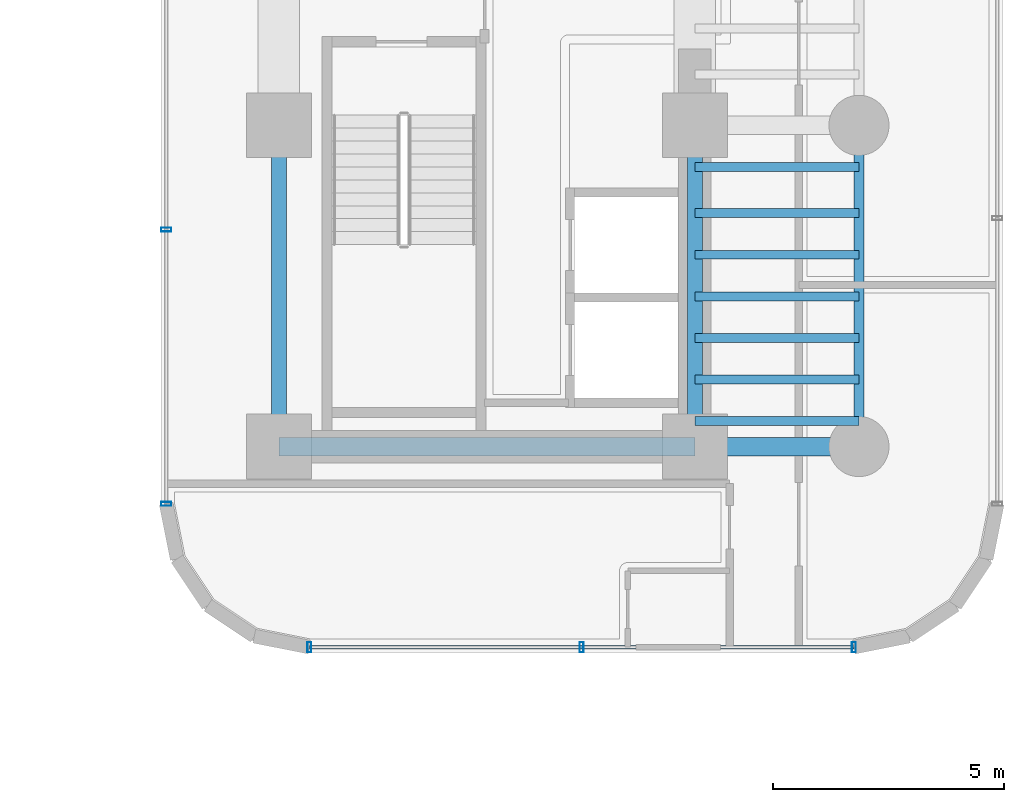
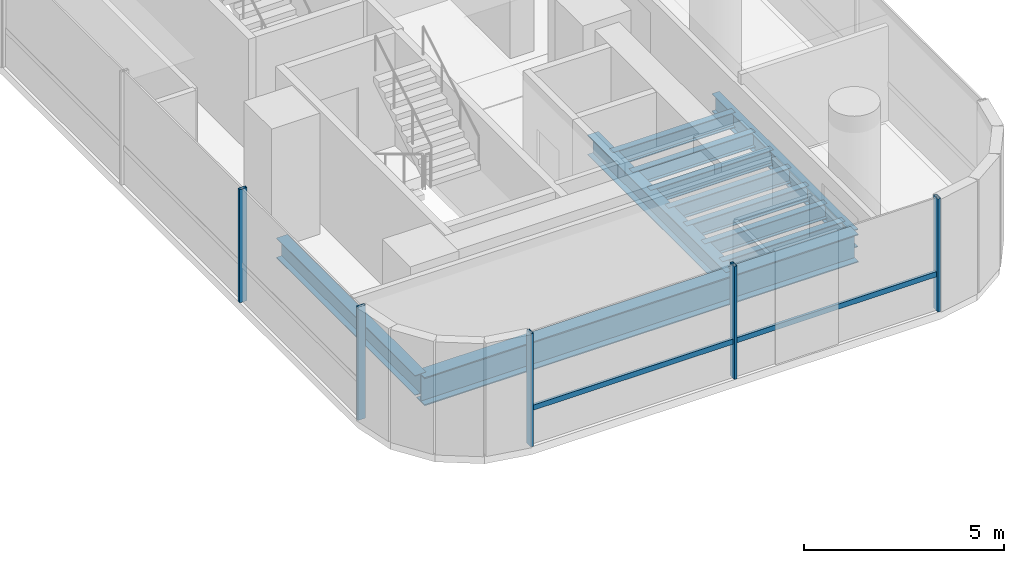
# One storey, part 14 of 42: 12 beams, 6 members, 2 elements without a shape of their own.
"""IFC4 building model written with IfcOpenShell, lengths in metres."""

from ifc_helpers import new_model, si_unit, direction, frame, origin, origin_2d, place, context, subcontext, project, spatial, hollow_rectangle, i_section, extrude, source, transform, mapped, material, material_profile, profile_set, type_object, element, aggregate, save


model = new_model("IFC4")

# Units and contexts
model_context = context("Model", 3, precision=1e-05, world=origin(), true_north=direction((0.0, 1.0)))
body_context = subcontext(model_context, "Body", "Model", "MODEL_VIEW")
ifc_project = project(units=[si_unit("LENGTHUNIT", "METRE"), si_unit("AREAUNIT", "SQUARE_METRE"), si_unit("VOLUMEUNIT", "CUBIC_METRE"), si_unit("PLANEANGLEUNIT", "RADIAN"), si_unit("MASSUNIT", "GRAM", prefix="KILO")], contexts=[model_context])

# Site, building, storey
site_placement = place(None, origin())
site = spatial("IfcSite", under=ifc_project, at=site_placement, CompositionType="ELEMENT")
building_placement = place(site_placement, origin())
building = spatial("IfcBuilding", under=site, at=building_placement, Name="Valdorenza Pilgrim Sanctuary Tower", CompositionType="ELEMENT")
storey_placement = place(building_placement, frame((0.0, 0.0, 55.60009765625)))
storey = spatial("IfcBuildingStorey", under=building, at=storey_placement, Name="L13", CompositionType="ELEMENT", Elevation=55.60009765625)

# Beams
ifc_material_1 = material(Name="Steel ASTM A992 Grade 50", Category="steel")
ifc_material_profile_1 = material_profile(ifc_material_1, i_section(OverallWidth=0.323974609375, OverallDepth=0.611083984375, WebThickness=0.0126953125, FlangeThickness=0.01904296875, at=origin_2d()), Name="W24X104")
ifc_profile_set_1 = profile_set([ifc_material_profile_1], Name="Steel ASTM A992 Grade 50")
beam_type_1 = type_object("IfcBeamType", Name="STR-BM-GRD-W24B", PredefinedType="BEAM", material=ifc_profile_set_1)
shared_shape_1 = source(origin(), body_context, "Body", "SweptSolid", [
    extrude(i_section(OverallWidth=0.323974609375, OverallDepth=0.611083984375, WebThickness=0.0126953125, FlangeThickness=0.01904296875, at=origin_2d()), origin(), (0.0, 0.0, 1.0), 6.949951171875),
])
for number, where, z_axis, x_axis, name in (
    (1, (15.85009765625, -9.550048828125, -0.545654296875), (0.0, 1.0, 0.0), (-1.0, 0.0, 0.0), "L13 Core Tie Girder CB-W-S1M0"),
    (2, (24.85009765625, -9.550048828125, -0.545654296875), (0.0, 1.0, 0.0), (-1.0, 0.0, 0.0), "L13 Core Tie Girder CB-E-S1M0"),
):
    element("IfcBeam", number, at=place(storey_placement, frame(where, z_axis=z_axis, x_axis=x_axis)), inside=storey, type_object=beam_type_1, Name=name, PredefinedType="BEAM", context=body_context, shape_type="MappedRepresentation", body=[
        mapped(shared_shape_1, transform((0.0, 0.0, 0.0), x_axis=(1.0, 0.0, 0.0), y_axis=(0.0, 1.0, 0.0), z_axis=(0.0, 0.0, 1.0), scale=1.0)),
    ])
ifc_material_profile_2 = material_profile(ifc_material_1, i_section(OverallWidth=0.214111328125, OverallDepth=0.549072265625, WebThickness=0.0146484375, FlangeThickness=0.023681640625, at=origin_2d()), Name="W21X93")
ifc_profile_set_2 = profile_set([ifc_material_profile_2], Name="Steel ASTM A992 Grade 50")
beam_type_2 = type_object("IfcBeamType", Name="STR-BM-SPN-W21A", PredefinedType="SPANDREL", material=ifc_profile_set_2)
shared_shape_2 = source(origin(), body_context, "Body", "SweptSolid", [
    extrude(i_section(OverallWidth=0.214111328125, OverallDepth=0.549072265625, WebThickness=0.0146484375, FlangeThickness=0.023681640625, at=origin_2d()), origin(), (0.0, 0.0, 1.0), 6.949951171875),
])
beam_1_placement = place(storey_placement, frame((28.39990234375, -9.550048828125, -0.5146484375), z_axis=(0.0, 1.0, 0.0), x_axis=(-1.0, 0.0, 0.0)))
element("IfcBeam", 3, at=beam_1_placement, inside=storey, type_object=beam_type_2, Name="L13 Spandrel Beam WB-E-S1M0", PredefinedType="SPANDREL", context=body_context, shape_type="MappedRepresentation", body=[
    mapped(shared_shape_2, transform((0.0, 0.0, 0.0), x_axis=(1.0, 0.0, 0.0), y_axis=(0.0, 1.0, 0.0), z_axis=(0.0, 0.0, 1.0), scale=1.0)),
])
ifc_material_profile_3 = material_profile(ifc_material_1, i_section(OverallWidth=0.193115234375, OverallDepth=0.466064453125, WebThickness=0.011474609375, FlangeThickness=0.01904296875, at=origin_2d()), Name="W18X65")
ifc_profile_set_3 = profile_set([ifc_material_profile_3], Name="Steel ASTM A992 Grade 50")
beam_type_3 = type_object("IfcBeamType", Name="STR-BM-JST-W18A", PredefinedType="JOIST", material=ifc_profile_set_3)
shared_shape_3 = source(origin(), body_context, "Body", "SweptSolid", [
    extrude(i_section(OverallWidth=0.193115234375, OverallDepth=0.466064453125, WebThickness=0.011474609375, FlangeThickness=0.01904296875, at=origin_2d()), origin(), (0.0, 0.0, 1.0), 3.5498046875),
])
for number, where, z_axis, x_axis, name in (
    (4, (24.85009765625, -9.0, -0.47314453125), (1.0, 0.0, 0.0), (0.0, 1.0, 0.0), "L13 Composite Floor Joist JST-WB-1"),
    (5, (24.85009765625, -8.10009765625, -0.47314453125), (1.0, 0.0, 0.0), (0.0, 1.0, 0.0), "L13 Composite Floor Joist JST-WB-2"),
    (6, (24.85009765625, -7.199951171875, -0.47314453125), (1.0, 0.0, 0.0), (0.0, 1.0, 0.0), "L13 Composite Floor Joist JST-WB-3"),
    (7, (24.85009765625, -6.300048828125, -0.47314453125), (1.0, 0.0, 0.0), (0.0, 1.0, 0.0), "L13 Composite Floor Joist JST-WB-4"),
    (8, (24.85009765625, -5.39990234375, -0.47314453125), (1.0, 0.0, 0.0), (0.0, 1.0, 0.0), "L13 Composite Floor Joist JST-WB-5"),
    (9, (24.85009765625, -4.5, -0.47314453125), (1.0, 0.0, 0.0), (0.0, 1.0, 0.0), "L13 Composite Floor Joist JST-WB-6"),
    (10, (24.85009765625, -3.5, -0.47314453125), (1.0, 0.0, 0.0), (0.0, 1.0, 0.0), "L13 Composite Floor Joist JST-WB-7"),
):
    element("IfcBeam", number, at=place(storey_placement, frame(where, z_axis=z_axis, x_axis=x_axis)), inside=storey, type_object=beam_type_3, Name=name, PredefinedType="JOIST", context=body_context, shape_type="MappedRepresentation", body=[
        mapped(shared_shape_3, transform((0.0, 0.0, 0.0), x_axis=(1.0, 0.0, 0.0), y_axis=(0.0, 1.0, 0.0), z_axis=(0.0, 0.0, 1.0), scale=1.0)),
    ])
ifc_material_profile_4 = material_profile(ifc_material_1, i_section(OverallWidth=0.39990234375, OverallDepth=0.862060546875, WebThickness=0.019775390625, FlangeThickness=0.032470703125, at=origin_2d()), Name="W33X221")
ifc_profile_set_4 = profile_set([ifc_material_profile_4], Name="Steel ASTM A992 Grade 50")
beam_type_4 = type_object("IfcBeamType", Name="STR-BM-GRD-W33", PredefinedType="BEAM", material=ifc_profile_set_4)
shared_shape_4 = source(origin(), body_context, "Body", "SweptSolid", [
    extrude(i_section(OverallWidth=0.39990234375, OverallDepth=0.862060546875, WebThickness=0.019775390625, FlangeThickness=0.032470703125, at=origin_2d()), origin(), (0.0, 0.0, 1.0), 9.0),
])
beam_2_placement = place(storey_placement, frame((15.85009765625, -9.550048828125, -0.671142578125), z_axis=(1.0, 0.0, 0.0), x_axis=(0.0, 1.0, 0.0)))
element("IfcBeam", 11, at=beam_2_placement, inside=storey, type_object=beam_type_4, Name="L13 Floor Girder CB-XC-S1", PredefinedType="BEAM", context=body_context, shape_type="MappedRepresentation", body=[
    mapped(shared_shape_4, transform((0.0, 0.0, 0.0), x_axis=(1.0, 0.0, 0.0), y_axis=(0.0, 1.0, 0.0), z_axis=(0.0, 0.0, 1.0), scale=1.0)),
])
shared_shape_5 = source(origin(), body_context, "Body", "SweptSolid", [
    extrude(i_section(OverallWidth=0.39990234375, OverallDepth=0.862060546875, WebThickness=0.019775390625, FlangeThickness=0.032470703125, at=origin_2d()), origin(), (0.0, 0.0, 1.0), 3.5498046875),
])
beam_3_placement = place(storey_placement, frame((24.85009765625, -9.550048828125, -0.671142578125), z_axis=(1.0, 0.0, 0.0), x_axis=(0.0, 1.0, 0.0)))
element("IfcBeam", 12, at=beam_3_placement, inside=storey, type_object=beam_type_4, Name="L13 Floor Girder WB-XE-S1", PredefinedType="BEAM", context=body_context, shape_type="MappedRepresentation", body=[
    mapped(shared_shape_5, transform((0.0, 0.0, 0.0), x_axis=(1.0, 0.0, 0.0), y_axis=(0.0, 1.0, 0.0), z_axis=(0.0, 0.0, 1.0), scale=1.0)),
])

# Curtain wall, members
ifc_material_2 = material(Name="Curtain-wall IGU glazing", Category="glass")
curtain_wall_type = type_object("IfcCurtainWallType", Name="CW-SYS-03", PredefinedType="NOTDEFINED", material=ifc_material_2)
curtain_wall_1_placement = place(storey_placement, origin())
curtain_wall_1 = element("IfcCurtainWall", 13, at=curtain_wall_1_placement, inside=storey, type_object=curtain_wall_type, Name="L13 Curtain Wall CW-L13-1-26", PredefinedType="NOTDEFINED")
ifc_material_3 = material(Name="Anodised aluminium AW-6060", Category="aluminium")
ifc_material_profile_5 = material_profile(ifc_material_3, hollow_rectangle(XDim=0.0849609375, YDim=0.219970703125, WallThickness=0.0048828125, at=origin_2d()), Name="ALU-M 220x85x5")
ifc_profile_set_5 = profile_set([ifc_material_profile_5], Name="Anodised aluminium AW-6060")
member_type_1 = type_object("IfcMemberType", Name="CW-MUL-03", PredefinedType="MULLION", material=ifc_profile_set_5)
shared_shape_6 = source(origin(), body_context, "Body", "SweptSolid", [
    extrude(hollow_rectangle(XDim=0.0849609375, YDim=0.219970703125, WallThickness=0.0048828125, at=origin_2d()), origin(), (0.0, 0.0, 1.0), 3.4599609375),
])
member_1_placement = place(storey_placement, frame((28.289306640625, -13.889892578125, 0.0), z_axis=(0.0, 0.0, 1.0), x_axis=(-1.0, 0.0, 0.0)))
member_1 = element("IfcMember", 14, at=member_1_placement, type_object=member_type_1, Name="CW-L13-1-26 Mullion 1", PredefinedType="MULLION", context=body_context, shape_type="MappedRepresentation", body=[
    mapped(shared_shape_6, transform((0.0, 0.0, 0.0), x_axis=(1.0, 0.0, 0.0), y_axis=(0.0, 1.0, 0.0), z_axis=(0.0, 0.0, 1.0), scale=1.0)),
])
member_2_placement = place(storey_placement, frame((22.39990234375, -13.889892578125, 0.0), z_axis=(0.0, 0.0, 1.0), x_axis=(-1.0, 0.0, 0.0)))
member_2 = element("IfcMember", 15, at=member_2_placement, type_object=member_type_1, Name="CW-L13-1-26 Mullion 2", PredefinedType="MULLION", context=body_context, shape_type="MappedRepresentation", body=[
    mapped(shared_shape_6, transform((0.0, 0.0, 0.0), x_axis=(1.0, 0.0, 0.0), y_axis=(0.0, 1.0, 0.0), z_axis=(0.0, 0.0, 1.0), scale=1.0)),
])
member_3_placement = place(storey_placement, frame((16.5107421875, -13.889892578125, 0.0), z_axis=(0.0, 0.0, 1.0), x_axis=(-1.0, 0.0, 0.0)))
member_3 = element("IfcMember", 16, at=member_3_placement, type_object=member_type_1, Name="CW-L13-1-26 Mullion 3", PredefinedType="MULLION", context=body_context, shape_type="MappedRepresentation", body=[
    mapped(shared_shape_6, transform((0.0, 0.0, 0.0), x_axis=(1.0, 0.0, 0.0), y_axis=(0.0, 1.0, 0.0), z_axis=(0.0, 0.0, 1.0), scale=1.0)),
])

curtain_wall_2_placement = place(storey_placement, origin())
curtain_wall_2 = element("IfcCurtainWall", 17, at=curtain_wall_2_placement, inside=storey, type_object=curtain_wall_type, Name="L13 Curtain Wall CW-L13-1-31", PredefinedType="NOTDEFINED")
member_4_placement = place(storey_placement, frame((13.409912109375, -10.789306640625, 0.0), z_axis=(0.0, 0.0, 1.0), x_axis=(0.0, 1.0, 0.0)))
member_4 = element("IfcMember", 18, at=member_4_placement, type_object=member_type_1, Name="CW-L13-1-31 Mullion 1", PredefinedType="MULLION", context=body_context, shape_type="MappedRepresentation", body=[
    mapped(shared_shape_6, transform((0.0, 0.0, 0.0), x_axis=(1.0, 0.0, 0.0), y_axis=(0.0, 1.0, 0.0), z_axis=(0.0, 0.0, 1.0), scale=1.0)),
])
member_5_placement = place(storey_placement, frame((13.409912109375, -4.85595703125, 0.0), z_axis=(0.0, 0.0, 1.0), x_axis=(0.0, 1.0, 0.0)))
member_5 = element("IfcMember", 19, at=member_5_placement, type_object=member_type_1, Name="CW-L13-1-31 Mullion 2", PredefinedType="MULLION", context=body_context, shape_type="MappedRepresentation", body=[
    mapped(shared_shape_6, transform((0.0, 0.0, 0.0), x_axis=(1.0, 0.0, 0.0), y_axis=(0.0, 1.0, 0.0), z_axis=(0.0, 0.0, 1.0), scale=1.0)),
])
aggregate(curtain_wall_2, [member_4, member_5])

# Member
ifc_material_profile_6 = material_profile(ifc_material_3, hollow_rectangle(XDim=0.074951171875, YDim=0.159912109375, WallThickness=0.00390625, at=origin_2d()), Name="ALU-T 160x75x4")
ifc_profile_set_6 = profile_set([ifc_material_profile_6], Name="Anodised aluminium AW-6060")
member_type_2 = type_object("IfcMemberType", Name="CW-TRN-03", PredefinedType="USERDEFINED", material=ifc_profile_set_6)
shared_shape_7 = source(origin(), body_context, "Body", "SweptSolid", [
    extrude(hollow_rectangle(XDim=0.074951171875, YDim=0.159912109375, WallThickness=0.00390625, at=origin_2d()), origin(), (0.0, 0.0, 1.0), 11.778564453125),
])
member_6_placement = place(storey_placement, frame((28.289306640625, -13.889892578125, 1.119873046875), z_axis=(-1.0, 0.0, 0.0), x_axis=(0.0, -1.0, 0.0)))
member_6 = element("IfcMember", 20, at=member_6_placement, type_object=member_type_2, Name="CW-L13-1-26 Transom 1", ObjectType="TRANSOM", PredefinedType="USERDEFINED", context=body_context, shape_type="MappedRepresentation", body=[
    mapped(shared_shape_7, transform((0.0, 0.0, 0.0), x_axis=(1.0, 0.0, 0.0), y_axis=(0.0, 1.0, 0.0), z_axis=(0.0, 0.0, 1.0), scale=1.0)),
])

aggregate(curtain_wall_1, [member_1, member_2, member_3, member_6])

save(model, "model.ifc")
